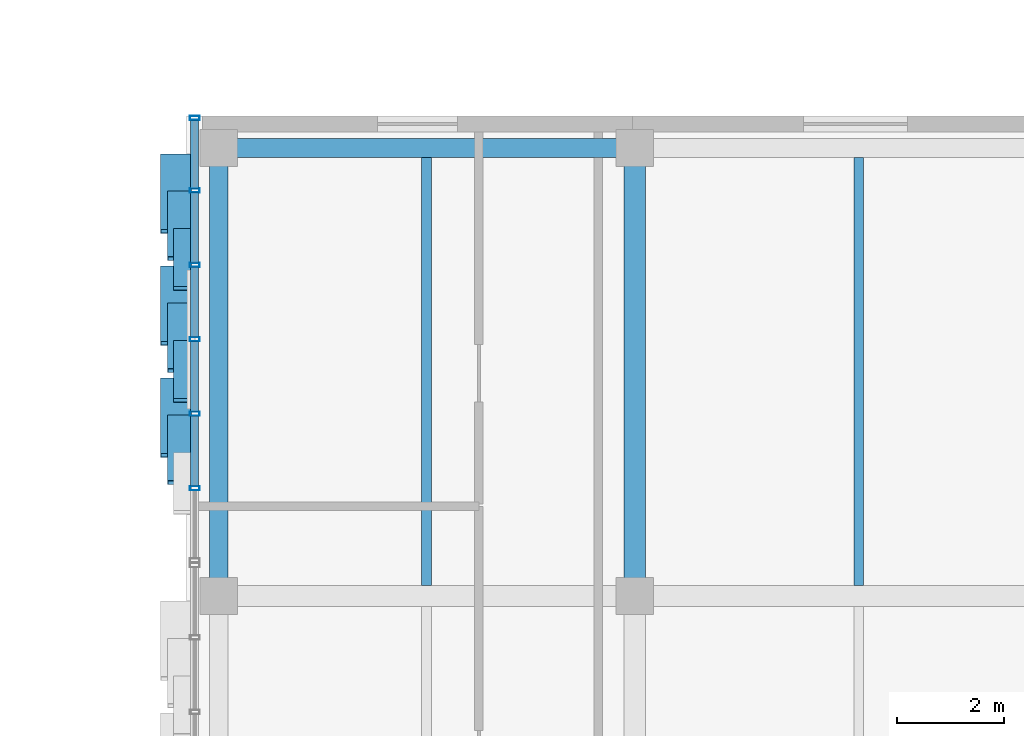
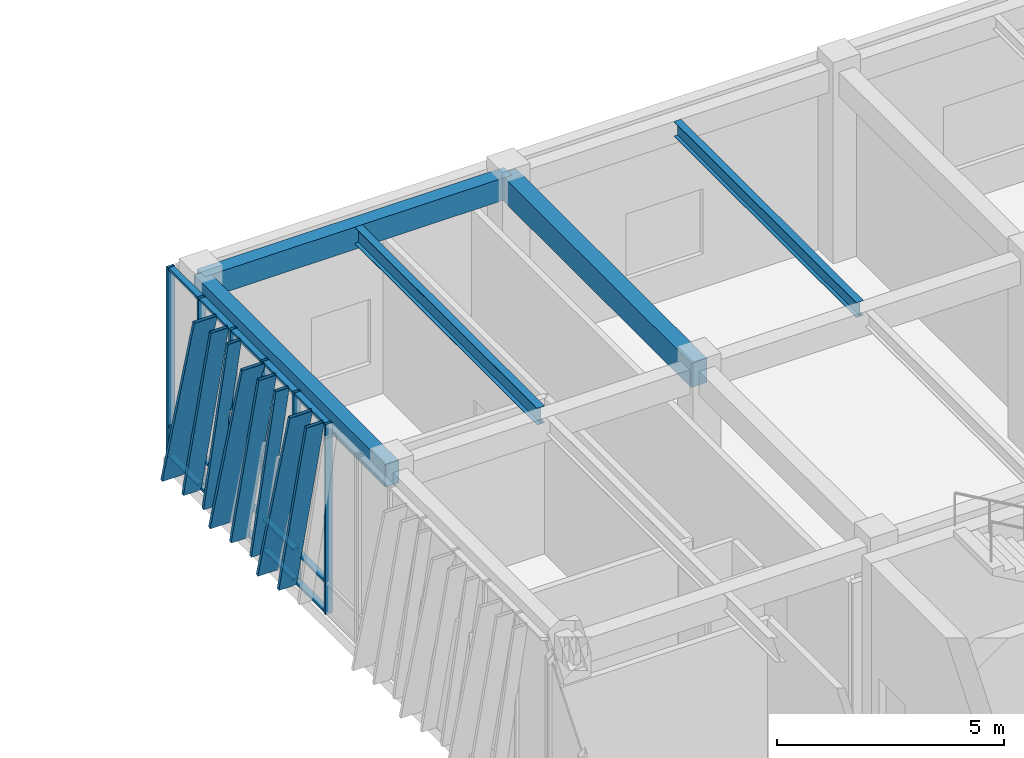
# One storey, part 74 of 139: 29 members, 5 beams, 1 element without a shape of its own.
"""IFC4 building model written with IfcOpenShell, lengths in metres."""

from ifc_helpers import new_model, si_unit, direction, frame, origin, origin_2d, place, context, subcontext, project, spatial, rectangle, hollow_rectangle, i_section, extrude, material, layer, layer_set, material_profile, profile_set, type_object, element, aggregate, save


model = new_model("IFC4")

# Units and contexts
model_context = context("Model", 3, precision=1e-05, world=origin(), true_north=direction((0.0, 1.0)))
body_context = subcontext(model_context, "Body", "Model", "MODEL_VIEW")
ifc_project = project(units=[si_unit("LENGTHUNIT", "METRE"), si_unit("AREAUNIT", "SQUARE_METRE"), si_unit("VOLUMEUNIT", "CUBIC_METRE"), si_unit("PLANEANGLEUNIT", "RADIAN"), si_unit("MASSUNIT", "GRAM", prefix="KILO")], contexts=[model_context])

# Site, building, storey
site_placement = place(None, origin())
site = spatial("IfcSite", under=ifc_project, at=site_placement, CompositionType="ELEMENT")
building_placement = place(site_placement, origin())
building = spatial("IfcBuilding", under=site, at=building_placement, Name="Zayran Congress Hotel", CompositionType="ELEMENT")
storey_placement = place(building_placement, frame((0.0, 0.0, 5.39990234375)))
storey = spatial("IfcBuildingStorey", under=building, at=storey_placement, Name="L01", CompositionType="ELEMENT", Elevation=5.39990234375)

# Beams
ifc_material_1 = material(Name="Concrete C40/50", Category="concrete")
ifc_material_profile_1 = material_profile(ifc_material_1, rectangle(XDim=0.39990234375, YDim=0.64990234375, at=origin_2d()), Name="RC 400x650")
ifc_profile_set_1 = profile_set([ifc_material_profile_1], Name="Concrete C40/50")
beam_type_1 = type_object("IfcBeamType", Name="TP-BM-03", PredefinedType="BEAM", material=ifc_profile_set_1)
beam_1_placement = place(storey_placement, frame((117.60009765625, 100.60009765625, 4.775146484375), z_axis=(0.0, 1.0, 0.0), x_axis=(-1.0, 0.0, 0.0)))
element("IfcBeam", 1, at=beam_1_placement, inside=storey, type_object=beam_type_1, Name="BM-V4-L01-1357", PredefinedType="BEAM", context=body_context, shape_type="SweptSolid", body=[
    extrude(rectangle(XDim=0.39990234375, YDim=0.64990234375, at=origin_2d()), origin(), (0.0, 0.0, 1.0), 8.39990234375),
])
ifc_material_profile_2 = material_profile(ifc_material_1, rectangle(XDim=0.35009765625, YDim=0.60009765625, at=origin_2d()), Name="RC 350x600")
ifc_profile_set_2 = profile_set([ifc_material_profile_2], Name="Concrete C40/50")
beam_type_2 = type_object("IfcBeamType", Name="TP-SP-01", PredefinedType="SPANDREL", material=ifc_profile_set_2)
beam_2_placement = place(storey_placement, frame((109.800048828125, 109.0, 4.800048828125), z_axis=(1.0, 0.0, 0.0), x_axis=(0.0, 1.0, 0.0)))
element("IfcBeam", 2, at=beam_2_placement, inside=storey, type_object=beam_type_2, Name="BM-V4-L01-1340", PredefinedType="SPANDREL", context=body_context, shape_type="SweptSolid", body=[
    extrude(rectangle(XDim=0.35009765625, YDim=0.60009765625, at=origin_2d()), origin(), (0.0, 0.0, 1.0), 7.800048828125),
])
beam_3_placement = place(storey_placement, frame((109.800048828125, 100.60009765625, 4.800048828125), z_axis=(0.0, 1.0, 0.0), x_axis=(-1.0, 0.0, 0.0)))
element("IfcBeam", 3, at=beam_3_placement, inside=storey, type_object=beam_type_2, Name="BM-V4-L01-1351", PredefinedType="SPANDREL", context=body_context, shape_type="SweptSolid", body=[
    extrude(rectangle(XDim=0.35009765625, YDim=0.60009765625, at=origin_2d()), origin(), (0.0, 0.0, 1.0), 8.39990234375),
])
ifc_material_2 = material(Name="Steel S355", Category="steel")
ifc_material_profile_3 = material_profile(ifc_material_2, i_section(OverallWidth=0.18994140625, OverallDepth=0.449951171875, WebThickness=0.009521484375, FlangeThickness=0.0146484375, at=origin_2d()), Name="IPE 450")
ifc_profile_set_3 = profile_set([ifc_material_profile_3], Name="Steel S355")
beam_type_3 = type_object("IfcBeamType", Name="TP-JS-02", PredefinedType="JOIST", material=ifc_profile_set_3)
beam_4_placement = place(storey_placement, frame((113.699951171875, 100.800048828125, 4.875), z_axis=(0.0, 1.0, 0.0), x_axis=(-1.0, 0.0, 0.0)))
element("IfcBeam", 4, at=beam_4_placement, inside=storey, type_object=beam_type_3, Name="JST-V4-L01-1389", PredefinedType="JOIST", context=body_context, shape_type="SweptSolid", body=[
    extrude(i_section(OverallWidth=0.18994140625, OverallDepth=0.449951171875, WebThickness=0.009521484375, FlangeThickness=0.0146484375, at=origin_2d()), origin(), (0.0, 0.0, 1.0), 8.02490234375),
])
ifc_material_profile_4 = material_profile(ifc_material_2, i_section(OverallWidth=0.179931640625, OverallDepth=0.39990234375, WebThickness=0.008544921875, FlangeThickness=0.013427734375, at=origin_2d()), Name="IPE 400")
ifc_profile_set_4 = profile_set([ifc_material_profile_4], Name="Steel S355")
beam_type_4 = type_object("IfcBeamType", Name="TP-JS-03", PredefinedType="JOIST", material=ifc_profile_set_4)
beam_5_placement = place(storey_placement, frame((121.800048828125, 100.800048828125, 4.900146484375), z_axis=(0.0, 1.0, 0.0), x_axis=(-1.0, 0.0, 0.0)))
element("IfcBeam", 5, at=beam_5_placement, inside=storey, type_object=beam_type_4, Name="JST-V4-L01-1395", PredefinedType="JOIST", context=body_context, shape_type="SweptSolid", body=[
    extrude(i_section(OverallWidth=0.179931640625, OverallDepth=0.39990234375, WebThickness=0.008544921875, FlangeThickness=0.013427734375, at=origin_2d()), origin(), (0.0, 0.0, 1.0), 8.02490234375),
])

# Curtain wall, members
ifc_material_3 = material(Name="Anodised aluminium and low-E insulated glass", Category="aluminium")
ifc_layer = layer(ifc_material_3, 0.179931640625)
ifc_layer_set = layer_set([ifc_layer], Name="Anodised aluminium and low-E insulated glass")
curtain_wall_type = type_object("IfcCurtainWallType", Name="CW-V4W-L01-CW-52-8376-5100", PredefinedType="USERDEFINED", material=ifc_layer_set)
curtain_wall_placement = place(storey_placement, origin())
curtain_wall = element("IfcCurtainWall", 6, at=curtain_wall_placement, inside=storey, type_object=curtain_wall_type, Name="CW-V4W-L01-7", ObjectType="CURTAIN WALL", PredefinedType="USERDEFINED")
ifc_material_4 = material(Name="Anodised aluminium framing", Category="aluminium")
ifc_material_profile_5 = material_profile(ifc_material_4, hollow_rectangle(XDim=0.080078125, YDim=0.179931640625, WallThickness=0.0048828125, at=origin_2d()), Name="RHS 180x80x5")
ifc_profile_set_5 = profile_set([ifc_material_profile_5], Name="Anodised aluminium framing")
member_type_1 = type_object("IfcMemberType", Name="TP-CWM-01", PredefinedType="MULLION", material=ifc_profile_set_5)
member_1_placement = place(storey_placement, frame((109.35009765625, 109.56005859375, 0.0), z_axis=(0.0, 0.0, 1.0), x_axis=(0.0, 1.0, 0.0)))
member_1 = element("IfcMember", 7, at=member_1_placement, type_object=member_type_1, Name="CW-V4W-L01-7-M00", PredefinedType="MULLION", context=body_context, shape_type="SweptSolid", body=[
    extrude(hollow_rectangle(XDim=0.080078125, YDim=0.179931640625, WallThickness=0.0048828125, at=origin_2d()), origin(), (0.0, 0.0, 1.0), 5.10009765625),
])
member_2_placement = place(storey_placement, frame((109.35009765625, 108.2041015625, 0.0), z_axis=(0.0, 0.0, 1.0), x_axis=(0.0, 1.0, 0.0)))
member_2 = element("IfcMember", 8, at=member_2_placement, type_object=member_type_1, Name="CW-V4W-L01-7-M01", PredefinedType="MULLION", context=body_context, shape_type="SweptSolid", body=[
    extrude(hollow_rectangle(XDim=0.080078125, YDim=0.179931640625, WallThickness=0.0048828125, at=origin_2d()), origin(), (0.0, 0.0, 1.0), 5.10009765625),
])
member_3_placement = place(storey_placement, frame((109.35009765625, 106.80810546875, 0.0), z_axis=(0.0, 0.0, 1.0), x_axis=(0.0, 1.0, 0.0)))
member_3 = element("IfcMember", 9, at=member_3_placement, type_object=member_type_1, Name="CW-V4W-L01-7-M02", PredefinedType="MULLION", context=body_context, shape_type="SweptSolid", body=[
    extrude(hollow_rectangle(XDim=0.080078125, YDim=0.179931640625, WallThickness=0.0048828125, at=origin_2d()), origin(), (0.0, 0.0, 1.0), 5.10009765625),
])
member_4_placement = place(storey_placement, frame((109.35009765625, 105.412109375, 0.0), z_axis=(0.0, 0.0, 1.0), x_axis=(0.0, 1.0, 0.0)))
member_4 = element("IfcMember", 10, at=member_4_placement, type_object=member_type_1, Name="CW-V4W-L01-7-M03", PredefinedType="MULLION", context=body_context, shape_type="SweptSolid", body=[
    extrude(hollow_rectangle(XDim=0.080078125, YDim=0.179931640625, WallThickness=0.0048828125, at=origin_2d()), origin(), (0.0, 0.0, 1.0), 5.10009765625),
])
member_5_placement = place(storey_placement, frame((109.35009765625, 104.01611328125, 0.0), z_axis=(0.0, 0.0, 1.0), x_axis=(0.0, 1.0, 0.0)))
member_5 = element("IfcMember", 11, at=member_5_placement, type_object=member_type_1, Name="CW-V4W-L01-7-M04", PredefinedType="MULLION", context=body_context, shape_type="SweptSolid", body=[
    extrude(hollow_rectangle(XDim=0.080078125, YDim=0.179931640625, WallThickness=0.0048828125, at=origin_2d()), origin(), (0.0, 0.0, 1.0), 5.10009765625),
])
member_6_placement = place(storey_placement, frame((109.35009765625, 102.6201171875, 0.0), z_axis=(0.0, 0.0, 1.0), x_axis=(0.0, 1.0, 0.0)))
member_6 = element("IfcMember", 12, at=member_6_placement, type_object=member_type_1, Name="CW-V4W-L01-7-M05", PredefinedType="MULLION", context=body_context, shape_type="SweptSolid", body=[
    extrude(hollow_rectangle(XDim=0.080078125, YDim=0.179931640625, WallThickness=0.0048828125, at=origin_2d()), origin(), (0.0, 0.0, 1.0), 5.10009765625),
])
ifc_material_profile_6 = material_profile(ifc_material_4, hollow_rectangle(XDim=0.06005859375, YDim=0.14990234375, WallThickness=0.00390625, at=origin_2d()), Name="RHS 150x60x4")
ifc_profile_set_6 = profile_set([ifc_material_profile_6], Name="Anodised aluminium framing")
member_type_2 = type_object("IfcMemberType", Name="TP-CWT-01", PredefinedType="USERDEFINED", material=ifc_profile_set_6)
member_7_placement = place(storey_placement, frame((109.35009765625, 109.52001953125, 0.030029296875), z_axis=(0.0, -1.0, 0.0), x_axis=(0.0, 0.0, 1.0)))
member_7 = element("IfcMember", 13, at=member_7_placement, type_object=member_type_2, Name="CW-V4W-L01-7-T00-0", ObjectType="TRANSOM", PredefinedType="USERDEFINED", context=body_context, shape_type="SweptSolid", body=[
    extrude(hollow_rectangle(XDim=0.06005859375, YDim=0.14990234375, WallThickness=0.00390625, at=origin_2d()), origin(), (0.0, 0.0, 1.0), 1.276123046875),
])
member_8_placement = place(storey_placement, frame((109.35009765625, 109.52001953125, 0.840087890625), z_axis=(0.0, -1.0, 0.0), x_axis=(0.0, 0.0, 1.0)))
member_8 = element("IfcMember", 14, at=member_8_placement, type_object=member_type_2, Name="CW-V4W-L01-7-T00-1", ObjectType="TRANSOM", PredefinedType="USERDEFINED", context=body_context, shape_type="SweptSolid", body=[
    extrude(hollow_rectangle(XDim=0.06005859375, YDim=0.14990234375, WallThickness=0.00390625, at=origin_2d()), origin(), (0.0, 0.0, 1.0), 1.276123046875),
])
member_9_placement = place(storey_placement, frame((109.35009765625, 109.52001953125, 5.070068359375), z_axis=(0.0, -1.0, 0.0), x_axis=(0.0, 0.0, 1.0)))
member_9 = element("IfcMember", 15, at=member_9_placement, type_object=member_type_2, Name="CW-V4W-L01-7-T00-2", ObjectType="TRANSOM", PredefinedType="USERDEFINED", context=body_context, shape_type="SweptSolid", body=[
    extrude(hollow_rectangle(XDim=0.06005859375, YDim=0.14990234375, WallThickness=0.00390625, at=origin_2d()), origin(), (0.0, 0.0, 1.0), 1.276123046875),
])
member_10_placement = place(storey_placement, frame((109.35009765625, 108.1640625, 0.030029296875), z_axis=(0.0, -1.0, 0.0), x_axis=(0.0, 0.0, 1.0)))
member_10 = element("IfcMember", 16, at=member_10_placement, type_object=member_type_2, Name="CW-V4W-L01-7-T01-0", ObjectType="TRANSOM", PredefinedType="USERDEFINED", context=body_context, shape_type="SweptSolid", body=[
    extrude(hollow_rectangle(XDim=0.06005859375, YDim=0.14990234375, WallThickness=0.00390625, at=origin_2d()), origin(), (0.0, 0.0, 1.0), 1.316162109375),
])
member_11_placement = place(storey_placement, frame((109.35009765625, 108.1640625, 0.840087890625), z_axis=(0.0, -1.0, 0.0), x_axis=(0.0, 0.0, 1.0)))
member_11 = element("IfcMember", 17, at=member_11_placement, type_object=member_type_2, Name="CW-V4W-L01-7-T01-1", ObjectType="TRANSOM", PredefinedType="USERDEFINED", context=body_context, shape_type="SweptSolid", body=[
    extrude(hollow_rectangle(XDim=0.06005859375, YDim=0.14990234375, WallThickness=0.00390625, at=origin_2d()), origin(), (0.0, 0.0, 1.0), 1.316162109375),
])
member_12_placement = place(storey_placement, frame((109.35009765625, 108.1640625, 5.070068359375), z_axis=(0.0, -1.0, 0.0), x_axis=(0.0, 0.0, 1.0)))
member_12 = element("IfcMember", 18, at=member_12_placement, type_object=member_type_2, Name="CW-V4W-L01-7-T01-2", ObjectType="TRANSOM", PredefinedType="USERDEFINED", context=body_context, shape_type="SweptSolid", body=[
    extrude(hollow_rectangle(XDim=0.06005859375, YDim=0.14990234375, WallThickness=0.00390625, at=origin_2d()), origin(), (0.0, 0.0, 1.0), 1.316162109375),
])
member_13_placement = place(storey_placement, frame((109.35009765625, 106.76806640625, 0.030029296875), z_axis=(0.0, -1.0, 0.0), x_axis=(0.0, 0.0, 1.0)))
member_13 = element("IfcMember", 19, at=member_13_placement, type_object=member_type_2, Name="CW-V4W-L01-7-T02-0", ObjectType="TRANSOM", PredefinedType="USERDEFINED", context=body_context, shape_type="SweptSolid", body=[
    extrude(hollow_rectangle(XDim=0.06005859375, YDim=0.14990234375, WallThickness=0.00390625, at=origin_2d()), origin(), (0.0, 0.0, 1.0), 1.316162109375),
])
member_14_placement = place(storey_placement, frame((109.35009765625, 106.76806640625, 0.840087890625), z_axis=(0.0, -1.0, 0.0), x_axis=(0.0, 0.0, 1.0)))
member_14 = element("IfcMember", 20, at=member_14_placement, type_object=member_type_2, Name="CW-V4W-L01-7-T02-1", ObjectType="TRANSOM", PredefinedType="USERDEFINED", context=body_context, shape_type="SweptSolid", body=[
    extrude(hollow_rectangle(XDim=0.06005859375, YDim=0.14990234375, WallThickness=0.00390625, at=origin_2d()), origin(), (0.0, 0.0, 1.0), 1.316162109375),
])
member_15_placement = place(storey_placement, frame((109.35009765625, 106.76806640625, 5.070068359375), z_axis=(0.0, -1.0, 0.0), x_axis=(0.0, 0.0, 1.0)))
member_15 = element("IfcMember", 21, at=member_15_placement, type_object=member_type_2, Name="CW-V4W-L01-7-T02-2", ObjectType="TRANSOM", PredefinedType="USERDEFINED", context=body_context, shape_type="SweptSolid", body=[
    extrude(hollow_rectangle(XDim=0.06005859375, YDim=0.14990234375, WallThickness=0.00390625, at=origin_2d()), origin(), (0.0, 0.0, 1.0), 1.316162109375),
])
member_16_placement = place(storey_placement, frame((109.35009765625, 105.3720703125, 0.030029296875), z_axis=(0.0, -1.0, 0.0), x_axis=(0.0, 0.0, 1.0)))
member_16 = element("IfcMember", 22, at=member_16_placement, type_object=member_type_2, Name="CW-V4W-L01-7-T03-0", ObjectType="TRANSOM", PredefinedType="USERDEFINED", context=body_context, shape_type="SweptSolid", body=[
    extrude(hollow_rectangle(XDim=0.06005859375, YDim=0.14990234375, WallThickness=0.00390625, at=origin_2d()), origin(), (0.0, 0.0, 1.0), 1.316162109375),
])
member_17_placement = place(storey_placement, frame((109.35009765625, 105.3720703125, 0.840087890625), z_axis=(0.0, -1.0, 0.0), x_axis=(0.0, 0.0, 1.0)))
member_17 = element("IfcMember", 23, at=member_17_placement, type_object=member_type_2, Name="CW-V4W-L01-7-T03-1", ObjectType="TRANSOM", PredefinedType="USERDEFINED", context=body_context, shape_type="SweptSolid", body=[
    extrude(hollow_rectangle(XDim=0.06005859375, YDim=0.14990234375, WallThickness=0.00390625, at=origin_2d()), origin(), (0.0, 0.0, 1.0), 1.316162109375),
])
member_18_placement = place(storey_placement, frame((109.35009765625, 105.3720703125, 5.070068359375), z_axis=(0.0, -1.0, 0.0), x_axis=(0.0, 0.0, 1.0)))
member_18 = element("IfcMember", 24, at=member_18_placement, type_object=member_type_2, Name="CW-V4W-L01-7-T03-2", ObjectType="TRANSOM", PredefinedType="USERDEFINED", context=body_context, shape_type="SweptSolid", body=[
    extrude(hollow_rectangle(XDim=0.06005859375, YDim=0.14990234375, WallThickness=0.00390625, at=origin_2d()), origin(), (0.0, 0.0, 1.0), 1.316162109375),
])
member_19_placement = place(storey_placement, frame((109.35009765625, 103.97607421875, 0.030029296875), z_axis=(0.0, -1.0, 0.0), x_axis=(0.0, 0.0, 1.0)))
member_19 = element("IfcMember", 25, at=member_19_placement, type_object=member_type_2, Name="CW-V4W-L01-7-T04-0", ObjectType="TRANSOM", PredefinedType="USERDEFINED", context=body_context, shape_type="SweptSolid", body=[
    extrude(hollow_rectangle(XDim=0.06005859375, YDim=0.14990234375, WallThickness=0.00390625, at=origin_2d()), origin(), (0.0, 0.0, 1.0), 1.316162109375),
])
member_20_placement = place(storey_placement, frame((109.35009765625, 103.97607421875, 0.840087890625), z_axis=(0.0, -1.0, 0.0), x_axis=(0.0, 0.0, 1.0)))
member_20 = element("IfcMember", 26, at=member_20_placement, type_object=member_type_2, Name="CW-V4W-L01-7-T04-1", ObjectType="TRANSOM", PredefinedType="USERDEFINED", context=body_context, shape_type="SweptSolid", body=[
    extrude(hollow_rectangle(XDim=0.06005859375, YDim=0.14990234375, WallThickness=0.00390625, at=origin_2d()), origin(), (0.0, 0.0, 1.0), 1.316162109375),
])
member_21_placement = place(storey_placement, frame((109.35009765625, 103.97607421875, 5.070068359375), z_axis=(0.0, -1.0, 0.0), x_axis=(0.0, 0.0, 1.0)))
member_21 = element("IfcMember", 27, at=member_21_placement, type_object=member_type_2, Name="CW-V4W-L01-7-T04-2", ObjectType="TRANSOM", PredefinedType="USERDEFINED", context=body_context, shape_type="SweptSolid", body=[
    extrude(hollow_rectangle(XDim=0.06005859375, YDim=0.14990234375, WallThickness=0.00390625, at=origin_2d()), origin(), (0.0, 0.0, 1.0), 1.316162109375),
])
ifc_material_5 = material(Name="Warm bronze anodised aluminium", Category="aluminium")
ifc_material_profile_7 = material_profile(ifc_material_5, hollow_rectangle(XDim=0.080078125, YDim=0.580078125, WallThickness=0.006103515625, at=origin_2d()), Name="RHS 580x80x6")
ifc_profile_set_7 = profile_set([ifc_material_profile_7], Name="Warm bronze anodised aluminium")
member_type_3 = type_object("IfcMemberType", Name="TP-RFN-01", PredefinedType="MULLION", material=ifc_profile_set_7)
member_22_placement = place(storey_placement, frame((109.0, 108.85009765625, 0.0), z_axis=(0.0, -0.267267943227, 0.963622253024), x_axis=(0.0, 0.963622253024, 0.267267943227)))
member_22 = element("IfcMember", 28, at=member_22_placement, type_object=member_type_3, Name="Slanting Reed Mullion CW-52-01", PredefinedType="MULLION", context=body_context, shape_type="SweptSolid", body=[
    extrude(hollow_rectangle(XDim=0.080078125, YDim=0.580078125, WallThickness=0.006103515625, at=origin_2d()), origin(), (0.0, 0.0, 1.0), 5.292724609375),
])
member_23_placement = place(storey_placement, frame((109.0, 106.75, 0.0), z_axis=(0.0, -0.267225109087, 0.963634132372), x_axis=(0.0, 0.963634132372, 0.267225109087)))
member_23 = element("IfcMember", 29, at=member_23_placement, type_object=member_type_3, Name="Slanting Reed Mullion CW-52-04", PredefinedType="MULLION", context=body_context, shape_type="SweptSolid", body=[
    extrude(hollow_rectangle(XDim=0.080078125, YDim=0.580078125, WallThickness=0.006103515625, at=origin_2d()), origin(), (0.0, 0.0, 1.0), 5.29248046875),
])
member_24_placement = place(storey_placement, frame((109.0, 104.64990234375, 0.0), z_axis=(0.0, -0.267225109087, 0.963634132372), x_axis=(0.0, 0.963634132372, 0.267225109087)))
member_24 = element("IfcMember", 30, at=member_24_placement, type_object=member_type_3, Name="Slanting Reed Mullion CW-52-07", PredefinedType="MULLION", context=body_context, shape_type="SweptSolid", body=[
    extrude(hollow_rectangle(XDim=0.080078125, YDim=0.580078125, WallThickness=0.006103515625, at=origin_2d()), origin(), (0.0, 0.0, 1.0), 5.29248046875),
])
ifc_material_profile_8 = material_profile(ifc_material_5, hollow_rectangle(XDim=0.080078125, YDim=0.449951171875, WallThickness=0.006103515625, at=origin_2d()), Name="RHS 450x80x6")
ifc_profile_set_8 = profile_set([ifc_material_profile_8], Name="Warm bronze anodised aluminium")
member_type_4 = type_object("IfcMemberType", Name="TP-RFN-02", PredefinedType="MULLION", material=ifc_profile_set_8)
member_25_placement = place(storey_placement, frame((109.06494140625, 108.14990234375, 0.0), z_axis=(0.0, -0.233434569046, 0.972372511939), x_axis=(0.0, 0.972372511939, 0.233434569046)))
member_25 = element("IfcMember", 31, at=member_25_placement, type_object=member_type_4, Name="Slanting Reed Mullion CW-52-02", PredefinedType="MULLION", context=body_context, shape_type="SweptSolid", body=[
    extrude(hollow_rectangle(XDim=0.080078125, YDim=0.449951171875, WallThickness=0.006103515625, at=origin_2d()), origin(), (0.0, 0.0, 1.0), 5.2451171875),
])
member_26_placement = place(storey_placement, frame((109.06494140625, 106.050048828125, 0.0), z_axis=(0.0, -0.233434569046, 0.972372511939), x_axis=(0.0, 0.972372511939, 0.233434569046)))
member_26 = element("IfcMember", 32, at=member_26_placement, type_object=member_type_4, Name="Slanting Reed Mullion CW-52-05", PredefinedType="MULLION", context=body_context, shape_type="SweptSolid", body=[
    extrude(hollow_rectangle(XDim=0.080078125, YDim=0.449951171875, WallThickness=0.006103515625, at=origin_2d()), origin(), (0.0, 0.0, 1.0), 5.2451171875),
])
member_27_placement = place(storey_placement, frame((109.06494140625, 103.949951171875, 0.0), z_axis=(0.0, -0.233434569046, 0.972372511939), x_axis=(0.0, 0.972372511939, 0.233434569046)))
member_27 = element("IfcMember", 33, at=member_27_placement, type_object=member_type_4, Name="Slanting Reed Mullion CW-52-08", PredefinedType="MULLION", context=body_context, shape_type="SweptSolid", body=[
    extrude(hollow_rectangle(XDim=0.080078125, YDim=0.449951171875, WallThickness=0.006103515625, at=origin_2d()), origin(), (0.0, 0.0, 1.0), 5.2451171875),
])
ifc_material_profile_9 = material_profile(ifc_material_5, hollow_rectangle(XDim=0.080078125, YDim=0.340087890625, WallThickness=0.006103515625, at=origin_2d()), Name="RHS 340x80x6")
ifc_profile_set_9 = profile_set([ifc_material_profile_9], Name="Warm bronze anodised aluminium")
member_type_5 = type_object("IfcMemberType", Name="TP-RFN-03", PredefinedType="MULLION", material=ifc_profile_set_9)
member_28_placement = place(storey_placement, frame((109.1201171875, 107.449951171875, 0.0), z_axis=(0.0, -0.207897956377, 0.978150519979), x_axis=(0.0, 0.978150519979, 0.207897956377)))
member_28 = element("IfcMember", 34, at=member_28_placement, type_object=member_type_5, Name="Slanting Reed Mullion CW-52-03", PredefinedType="MULLION", context=body_context, shape_type="SweptSolid", body=[
    extrude(hollow_rectangle(XDim=0.080078125, YDim=0.340087890625, WallThickness=0.006103515625, at=origin_2d()), origin(), (0.0, 0.0, 1.0), 5.214111328125),
])
member_29_placement = place(storey_placement, frame((109.1201171875, 105.35009765625, 0.0), z_axis=(0.0, -0.207897956377, 0.978150519979), x_axis=(0.0, 0.978150519979, 0.207897956377)))
member_29 = element("IfcMember", 35, at=member_29_placement, type_object=member_type_5, Name="Slanting Reed Mullion CW-52-06", PredefinedType="MULLION", context=body_context, shape_type="SweptSolid", body=[
    extrude(hollow_rectangle(XDim=0.080078125, YDim=0.340087890625, WallThickness=0.006103515625, at=origin_2d()), origin(), (0.0, 0.0, 1.0), 5.214111328125),
])
aggregate(curtain_wall, [member_1, member_2, member_3, member_4, member_5, member_6, member_7, member_8, member_9, member_10, member_11, member_12, member_13, member_14, member_15, member_16, member_17, member_18, member_19, member_20, member_21, member_22, member_25, member_28, member_23, member_26, member_29, member_24, member_27])

save(model, "model.ifc")
